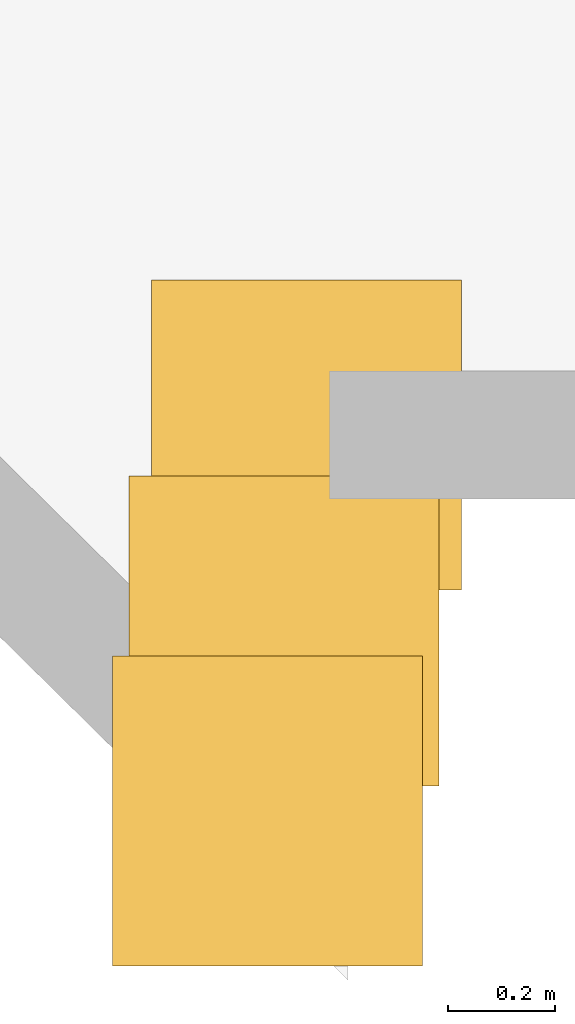
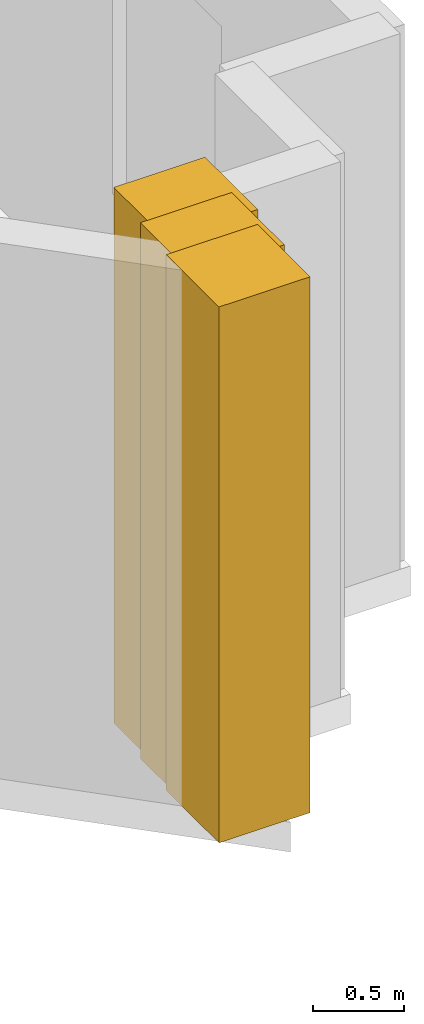
# One storey, part 16 of 16: 3 coverings.
"""IFC4 building model written with IfcOpenShell, lengths in metres."""

from ifc_helpers import new_model, si_unit, direction, frame, origin, origin_2d, place, context, subcontext, project, spatial, rectangle, extrude, material, layer, layer_set, type_object, element, save


model = new_model("IFC4")

# Units and contexts
model_context = context("Model", 3, precision=1e-05, world=origin(), true_north=direction((0.0, 1.0)))
body_context = subcontext(model_context, "Body", "Model", "MODEL_VIEW")
ifc_project = project(units=[si_unit("LENGTHUNIT", "METRE"), si_unit("AREAUNIT", "SQUARE_METRE"), si_unit("VOLUMEUNIT", "CUBIC_METRE"), si_unit("PLANEANGLEUNIT", "RADIAN"), si_unit("MASSUNIT", "GRAM", prefix="KILO")], contexts=[model_context])

# Site, building, storey
site_placement = place(None, origin())
site = spatial("IfcSite", under=ifc_project, at=site_placement, CompositionType="ELEMENT")
building_placement = place(site_placement, origin())
building = spatial("IfcBuilding", under=site, at=building_placement, Name="Haolan Belvedere Tower", CompositionType="ELEMENT")
storey_placement = place(building_placement, frame((0.0, 0.0, 47.60009765625)))
storey = spatial("IfcBuildingStorey", under=building, at=storey_placement, Name="L11", CompositionType="ELEMENT", Elevation=47.60009765625)

# Coverings
ifc_material = material(Name="Pale champagne-silver anodised aluminium rainscreen cladding", Category="aluminium")
ifc_layer = layer(ifc_material, 0.034912109375, Name="Pale champagne-silver anodised aluminium rainscreen cladding")
ifc_layer_set = layer_set([ifc_layer], Name="Pale champagne-silver anodised aluminium rainscreen cladding")
covering_type = type_object("IfcCoveringType", Name="COV-CLAD-35", PredefinedType="CLADDING", material=ifc_layer_set)
for number, where, z_axis, x_axis, name in (
    (1, (72.769775390625, 6.712646484375, -0.000244140625), (0.0, 0.0, 1.0), (1.0, 0.0, 0.0), "L11 pale-metal serrated corner cladding trim 5"),
    (2, (72.800048828125, 7.04931640625, -0.000244140625), (0.0, 0.0, 1.0), (1.0, 0.0, 0.0), "L11 pale-metal serrated corner cladding trim 6"),
    (3, (72.842529296875, 7.416015625, -0.000244140625), (0.0, 0.0, 1.0), (1.0, 0.0, 0.0), "L11 pale-metal serrated corner cladding trim 7"),
):
    element("IfcCovering", number, at=place(storey_placement, frame(where, z_axis=z_axis, x_axis=x_axis)), inside=storey, type_object=covering_type, Name=name, PredefinedType="CLADDING", context=body_context, shape_type="SweptSolid", body=[
        extrude(rectangle(XDim=0.580078125, YDim=0.580078125, at=origin_2d()), origin(), (0.0, 0.0, 1.0), 3.60009765625),
    ])

save(model, "model.ifc")
